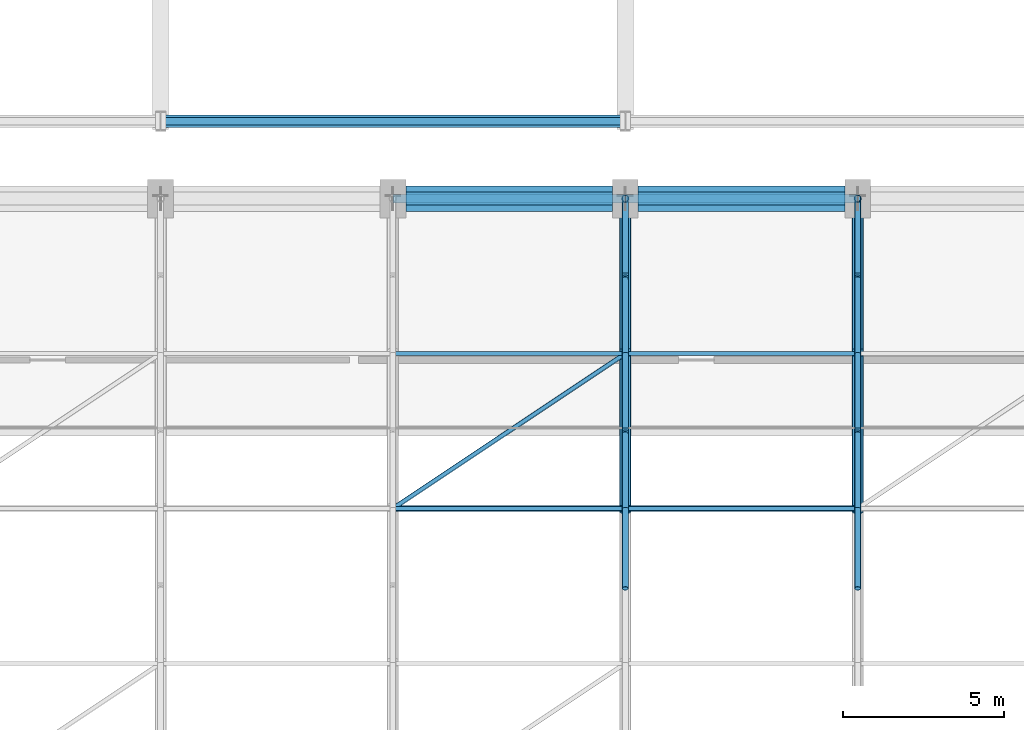
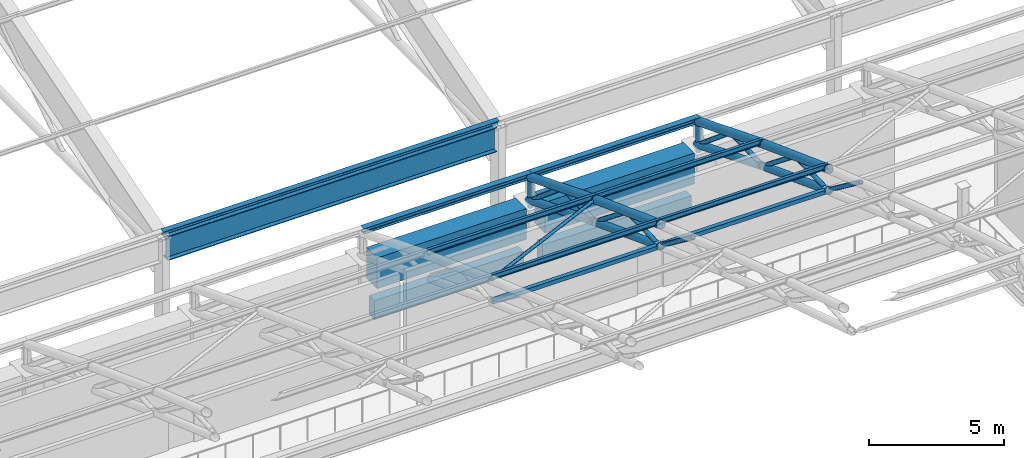
# One storey, part 54 of 116: 30 members, 5 beams.
"""IFC4 building model written with IfcOpenShell, lengths in metres."""

from ifc_helpers import new_model, si_unit, direction, frame, origin, origin_2d, place, context, subcontext, project, spatial, rectangle, hollow_rectangle, hollow_circle, i_section, extrude, material, material_profile, profile_set, type_object, element, save


model = new_model("IFC4")

# Units and contexts
model_context = context("Model", 3, precision=1e-05, world=origin(), true_north=direction((0.0, 1.0)))
body_context = subcontext(model_context, "Body", "Model", "MODEL_VIEW")
ifc_project = project(units=[si_unit("LENGTHUNIT", "METRE"), si_unit("AREAUNIT", "SQUARE_METRE"), si_unit("VOLUMEUNIT", "CUBIC_METRE"), si_unit("PLANEANGLEUNIT", "RADIAN"), si_unit("MASSUNIT", "GRAM", prefix="KILO")], contexts=[model_context])

# Site, building, storey
site_placement = place(None, origin())
site = spatial("IfcSite", under=ifc_project, at=site_placement, CompositionType="ELEMENT")
building_placement = place(site_placement, origin())
building = spatial("IfcBuilding", under=site, at=building_placement, Name="Cendralis Lancet Convention Centre", CompositionType="ELEMENT")
storey_placement = place(building_placement, frame((0.0, 0.0, 15.0)))
storey = spatial("IfcBuildingStorey", under=building, at=storey_placement, Name="L03", CompositionType="ELEMENT", Elevation=15.0)

# Beams
ifc_material_1 = material(Name="Concrete G40 (C40/50)", Category="concrete")
ifc_material_profile_1 = material_profile(ifc_material_1, rectangle(XDim=0.800048828125, YDim=1.39990234375, at=origin_2d()), Name="RCB 800x1400")
ifc_profile_set_1 = profile_set([ifc_material_profile_1], Name="Concrete G40 (C40/50)")
beam_type_1 = type_object("IfcBeamType", Name="STR-BM-BG17", PredefinedType="BEAM", material=ifc_profile_set_1)
for number, where, z_axis, x_axis, name in (
    (1, (175.60009765625, 91.199951171875, 1.10009765625), (1.0, 0.0, 0.0), (0.0, 1.0, 0.0), "L03 Beam BG17 #1573"),
    (2, (182.800048828125, 91.199951171875, 1.10009765625), (1.0, 0.0, 0.0), (0.0, 1.0, 0.0), "L03 Beam BG17 #1574"),
):
    element("IfcBeam", number, at=place(storey_placement, frame(where, z_axis=z_axis, x_axis=x_axis)), inside=storey, type_object=beam_type_1, Name=name, PredefinedType="BEAM", context=body_context, shape_type="SweptSolid", body=[
        extrude(rectangle(XDim=0.800048828125, YDim=1.39990234375, at=origin_2d()), origin(), (0.0, 0.0, 1.0), 6.39990234375),
    ])
ifc_material_2 = material(Name="Steel S355", Category="steel")
ifc_material_profile_2 = material_profile(ifc_material_2, i_section(OverallWidth=0.3798828125, OverallDepth=1.10009765625, WebThickness=0.01611328125, FlangeThickness=0.030029296875, at=origin_2d()), Name="PG 1100x380")
ifc_profile_set_2 = profile_set([ifc_material_profile_2], Name="Steel S355")
beam_type_2 = type_object("IfcBeamType", Name="STR-BM-SG04", PredefinedType="BEAM", material=ifc_profile_set_2)
beam_placement = place(storey_placement, frame((168.14990234375, 93.60009765625, 3.25), z_axis=(1.0, 0.0, 0.0), x_axis=(0.0, 1.0, 0.0)))
element("IfcBeam", 3, at=beam_placement, inside=storey, type_object=beam_type_2, Name="L03 Beam SG04 #1785", PredefinedType="BEAM", context=body_context, shape_type="SweptSolid", body=[
    extrude(i_section(OverallWidth=0.3798828125, OverallDepth=1.10009765625, WebThickness=0.01611328125, FlangeThickness=0.030029296875, at=origin_2d()), origin(), (0.0, 0.0, 1.0), 14.10009765625),
])

# Members
ifc_material_profile_3 = material_profile(ifc_material_2, hollow_circle(Radius=0.06982421875, WallThickness=0.00634765625, at=origin_2d()), Name="CHS 139.7x6.3")
ifc_profile_set_3 = profile_set([ifc_material_profile_3], Name="Steel S355")
member_type_1 = type_object("IfcMemberType", Name="STR-BR-RB02", PredefinedType="BRACE", material=ifc_profile_set_3)
member_1_placement = place(storey_placement, frame((175.199951171875, 81.60009765625, 6.538818359375), z_axis=(0.814912264104, 0.54325642102, -0.201966489381), x_axis=(-0.554687174313, 0.832058975466, 0.0)))
element("IfcMember", 4, at=member_1_placement, inside=storey, type_object=member_type_1, Name="Roof Diaphragm Brace RB02 V2-05-08A", PredefinedType="BRACE", context=body_context, shape_type="SweptSolid", body=[
    extrude(hollow_circle(Radius=0.06982421875, WallThickness=0.00634765625, at=origin_2d()), origin(), (0.0, 0.0, 1.0), 8.835205078125),
])
ifc_material_profile_4 = material_profile(ifc_material_2, hollow_rectangle(XDim=0.179931640625, YDim=0.179931640625, WallThickness=0.010009765625, at=origin_2d()), Name="SHS 180x180x10.0")
ifc_profile_set_4 = profile_set([ifc_material_profile_4], Name="Steel S355")
member_type_2 = type_object("IfcMemberType", Name="STR-BR-ST02", PredefinedType="STRUT", material=ifc_profile_set_4)
member_2_placement = place(storey_placement, frame((175.199951171875, 81.60009765625, 5.555908203125), z_axis=(1.0, 0.0, 0.0), x_axis=(0.0, 1.0, 0.0)))
element("IfcMember", 5, at=member_2_placement, inside=storey, type_object=member_type_2, Name="Arch Tie Strut ST02 V2-05-08", PredefinedType="STRUT", context=body_context, shape_type="SweptSolid", body=[
    extrude(hollow_rectangle(XDim=0.179931640625, YDim=0.179931640625, WallThickness=0.010009765625, at=origin_2d()), origin(), (0.0, 0.0, 1.0), 7.199951171875),
])
member_3_placement = place(storey_placement, frame((182.39990234375, 81.60009765625, 5.555908203125), z_axis=(1.0, 0.0, 0.0), x_axis=(0.0, 1.0, 0.0)))
element("IfcMember", 6, at=member_3_placement, inside=storey, type_object=member_type_2, Name="Arch Tie Strut ST02 V2-06-08", PredefinedType="STRUT", context=body_context, shape_type="SweptSolid", body=[
    extrude(hollow_rectangle(XDim=0.179931640625, YDim=0.179931640625, WallThickness=0.010009765625, at=origin_2d()), origin(), (0.0, 0.0, 1.0), 7.2001953125),
])
ifc_material_profile_5 = material_profile(ifc_material_2, i_section(OverallWidth=0.1201171875, OverallDepth=0.239990234375, WebThickness=0.006103515625, FlangeThickness=0.009765625, FilletRadius=0.014892578125, at=origin_2d()), Name="IPE 240")
ifc_profile_set_5 = profile_set([ifc_material_profile_5], Name="Steel S355")
member_type_3 = type_object("IfcMemberType", Name="STR-PR-PR02", PredefinedType="PURLIN", material=ifc_profile_set_5)
for number, where, z_axis, x_axis, name in (
    (7, (175.199951171875, 81.60009765625, 6.668701171875), (1.0, 0.0, 0.0), (0.0, 1.0, 0.0), "Vault Roof Purlin PR02 V2-05-08"),
    (8, (175.199951171875, 86.39990234375, 4.884521484375), (1.0, 0.0, 0.0), (0.0, 1.0, 0.0), "Vault Roof Purlin PR02 V2-05-09"),
):
    element("IfcMember", number, at=place(storey_placement, frame(where, z_axis=z_axis, x_axis=x_axis)), inside=storey, type_object=member_type_3, Name=name, PredefinedType="PURLIN", context=body_context, shape_type="SweptSolid", body=[
        extrude(i_section(OverallWidth=0.1201171875, OverallDepth=0.239990234375, WebThickness=0.006103515625, FlangeThickness=0.009765625, FilletRadius=0.014892578125, at=origin_2d()), origin(), (0.0, 0.0, 1.0), 7.199951171875),
    ])
for number, where, z_axis, x_axis, name in (
    (9, (182.39990234375, 81.60009765625, 6.668701171875), (1.0, 0.0, 0.0), (0.0, 1.0, 0.0), "Vault Roof Purlin PR02 V2-06-08"),
    (10, (182.39990234375, 86.39990234375, 4.884521484375), (1.0, 0.0, 0.0), (0.0, 1.0, 0.0), "Vault Roof Purlin PR02 V2-06-09"),
):
    element("IfcMember", number, at=place(storey_placement, frame(where, z_axis=z_axis, x_axis=x_axis)), inside=storey, type_object=member_type_3, Name=name, PredefinedType="PURLIN", context=body_context, shape_type="SweptSolid", body=[
        extrude(i_section(OverallWidth=0.1201171875, OverallDepth=0.239990234375, WebThickness=0.006103515625, FlangeThickness=0.009765625, FilletRadius=0.014892578125, at=origin_2d()), origin(), (0.0, 0.0, 1.0), 7.2001953125),
    ])
ifc_material_profile_6 = material_profile(ifc_material_2, i_section(OverallWidth=0.260009765625, OverallDepth=0.25, WebThickness=0.007568359375, FlangeThickness=0.012451171875, FilletRadius=0.02392578125, at=origin_2d()), Name="HEA 260")
ifc_profile_set_6 = profile_set([ifc_material_profile_6], Name="Steel S355")
member_type_4 = type_object("IfcMemberType", Name="STR-PR-PR07", PredefinedType="PURLIN", material=ifc_profile_set_6)
member_4_placement = place(storey_placement, frame((175.199951171875, 91.199951171875, 2.97509765625), z_axis=(1.0, 0.0, 0.0), x_axis=(0.0, 1.0, 0.0)))
element("IfcMember", 11, at=member_4_placement, inside=storey, type_object=member_type_4, Name="Vault Roof Purlin PR07 V2-05-10", PredefinedType="PURLIN", context=body_context, shape_type="SweptSolid", body=[
    extrude(i_section(OverallWidth=0.260009765625, OverallDepth=0.25, WebThickness=0.007568359375, FlangeThickness=0.012451171875, FilletRadius=0.02392578125, at=origin_2d()), origin(), (0.0, 0.0, 1.0), 7.199951171875),
])
member_5_placement = place(storey_placement, frame((182.39990234375, 91.199951171875, 2.97509765625), z_axis=(1.0, 0.0, 0.0), x_axis=(0.0, 1.0, 0.0)))
element("IfcMember", 12, at=member_5_placement, inside=storey, type_object=member_type_4, Name="Vault Roof Purlin PR07 V2-06-10", PredefinedType="PURLIN", context=body_context, shape_type="SweptSolid", body=[
    extrude(i_section(OverallWidth=0.260009765625, OverallDepth=0.25, WebThickness=0.007568359375, FlangeThickness=0.012451171875, FilletRadius=0.02392578125, at=origin_2d()), origin(), (0.0, 0.0, 1.0), 7.2001953125),
])
ifc_material_profile_7 = material_profile(ifc_material_2, i_section(OverallWidth=0.239990234375, OverallDepth=0.22998046875, WebThickness=0.007568359375, FlangeThickness=0.011962890625, FilletRadius=0.02099609375, at=origin_2d()), Name="HEA 240")
ifc_profile_set_7 = profile_set([ifc_material_profile_7], Name="Steel S355")
member_type_5 = type_object("IfcMemberType", Name="STR-PR-PR08", PredefinedType="PURLIN", material=ifc_profile_set_7)
member_6_placement = place(storey_placement, frame((168.0, 93.60009765625, 3.89501953125), z_axis=(1.0, 0.0, 0.0), x_axis=(0.0, 1.0, 0.0)))
element("IfcMember", 13, at=member_6_placement, inside=storey, type_object=member_type_5, Name="Ballroom Roof Purlin PR08 168-93.6", PredefinedType="PURLIN", context=body_context, shape_type="SweptSolid", body=[
    extrude(i_section(OverallWidth=0.239990234375, OverallDepth=0.22998046875, WebThickness=0.007568359375, FlangeThickness=0.011962890625, FilletRadius=0.02099609375, at=origin_2d()), origin(), (0.0, 0.0, 1.0), 14.39990234375),
])

# Beams
ifc_material_profile_8 = material_profile(ifc_material_1, rectangle(XDim=0.39990234375, YDim=0.85009765625, at=origin_2d()), Name="RCB 400x850")
ifc_profile_set_8 = profile_set([ifc_material_profile_8], Name="Concrete G40 (C40/50)")
beam_type_3 = type_object("IfcBeamType", Name="STR-SP-SP02", PredefinedType="SPANDREL", material=ifc_profile_set_8)
for number, where, z_axis, x_axis, name in (
    (14, (175.60009765625, 91.199951171875, -0.68505859375), (1.0, 0.0, 0.0), (0.0, 1.0, 0.0), "L03 Beam SP02 #1518"),
    (15, (182.800048828125, 91.199951171875, -0.68505859375), (1.0, 0.0, 0.0), (0.0, 1.0, 0.0), "L03 Beam SP02 #1519"),
):
    element("IfcBeam", number, at=place(storey_placement, frame(where, z_axis=z_axis, x_axis=x_axis)), inside=storey, type_object=beam_type_3, Name=name, PredefinedType="SPANDREL", context=body_context, shape_type="SweptSolid", body=[
        extrude(rectangle(XDim=0.39990234375, YDim=0.85009765625, at=origin_2d()), origin(), (0.0, 0.0, 1.0), 6.39990234375),
    ])

# Members
ifc_material_profile_9 = material_profile(ifc_material_2, hollow_circle(Radius=0.161865234375, WallThickness=0.01416015625, at=origin_2d()), Name="CHS 323.9x14.2")
ifc_profile_set_9 = profile_set([ifc_material_profile_9], Name="Steel S355")
member_type_6 = type_object("IfcMemberType", Name="STR-TR-BC02-INT", PredefinedType="CHORD", material=ifc_profile_set_9)
member_7_placement = place(storey_placement, frame((182.39990234375, 81.48779296875, 5.598388671875), z_axis=(0.0, 0.935181338514, -0.354169259105), x_axis=(-1.0, 0.0, 0.0)))
element("IfcMember", 16, at=member_7_placement, inside=storey, type_object=member_type_6, Name="ROOF TRUSS AT-V2-07 Bottom Chord 08", PredefinedType="CHORD", context=body_context, shape_type="SweptSolid", body=[
    extrude(hollow_circle(Radius=0.161865234375, WallThickness=0.01416015625, at=origin_2d()), origin(), (0.0, 0.0, 1.0), 5.37255859375),
])
member_8_placement = place(storey_placement, frame((182.39990234375, 86.288818359375, 3.782958984375), z_axis=(0.0, 0.927271931531, -0.374388521451), x_axis=(-1.0, 0.0, 0.0)))
element("IfcMember", 17, at=member_8_placement, inside=storey, type_object=member_type_6, Name="ROOF TRUSS AT-V2-07 Bottom Chord 09", PredefinedType="CHORD", context=body_context, shape_type="SweptSolid", body=[
    extrude(hollow_circle(Radius=0.161865234375, WallThickness=0.01416015625, at=origin_2d()), origin(), (0.0, 0.0, 1.0), 5.41650390625),
])
member_9_placement = place(storey_placement, frame((189.60009765625, 81.48779296875, 5.598388671875), z_axis=(0.0, 0.935181338514, -0.354169259105), x_axis=(-1.0, 0.0, 0.0)))
element("IfcMember", 18, at=member_9_placement, inside=storey, type_object=member_type_6, Name="ROOF TRUSS AT-V2-08 Bottom Chord 08", PredefinedType="CHORD", context=body_context, shape_type="SweptSolid", body=[
    extrude(hollow_circle(Radius=0.161865234375, WallThickness=0.01416015625, at=origin_2d()), origin(), (0.0, 0.0, 1.0), 5.37255859375),
])
member_10_placement = place(storey_placement, frame((189.60009765625, 86.288818359375, 3.782958984375), z_axis=(0.0, 0.927271931531, -0.374388521451), x_axis=(-1.0, 0.0, 0.0)))
element("IfcMember", 19, at=member_10_placement, inside=storey, type_object=member_type_6, Name="ROOF TRUSS AT-V2-08 Bottom Chord 09", PredefinedType="CHORD", context=body_context, shape_type="SweptSolid", body=[
    extrude(hollow_circle(Radius=0.161865234375, WallThickness=0.01416015625, at=origin_2d()), origin(), (0.0, 0.0, 1.0), 5.41650390625),
])
ifc_material_profile_10 = material_profile(ifc_material_2, hollow_circle(Radius=0.177734375, WallThickness=0.01611328125, at=origin_2d()), Name="CHS 355.6x16.0")
ifc_profile_set_10 = profile_set([ifc_material_profile_10], Name="Steel S355")
member_type_7 = type_object("IfcMemberType", Name="STR-TR-TC02-INT", PredefinedType="CHORD", material=ifc_profile_set_10)
member_11_placement = place(storey_placement, frame((182.39990234375, 81.487548828125, 6.58056640625), z_axis=(0.0, 0.937332228344, -0.34843692931), x_axis=(-1.0, 0.0, 0.0)))
element("IfcMember", 20, at=member_11_placement, inside=storey, type_object=member_type_7, Name="ROOF TRUSS AT-V2-07 Top Chord 08", PredefinedType="CHORD", context=body_context, shape_type="SweptSolid", body=[
    extrude(hollow_circle(Radius=0.177734375, WallThickness=0.01611328125, at=origin_2d()), origin(), (0.0, 0.0, 1.0), 5.36083984375),
])
member_12_placement = place(storey_placement, frame((182.39990234375, 86.28857421875, 4.798828125), z_axis=(0.0, 0.929495136476, -0.368834368338), x_axis=(-1.0, 0.0, 0.0)))
element("IfcMember", 21, at=member_12_placement, inside=storey, type_object=member_type_7, Name="ROOF TRUSS AT-V2-07 Top Chord 09", PredefinedType="CHORD", context=body_context, shape_type="SweptSolid", body=[
    extrude(hollow_circle(Radius=0.177734375, WallThickness=0.01611328125, at=origin_2d()), origin(), (0.0, 0.0, 1.0), 5.404052734375),
])
member_13_placement = place(storey_placement, frame((189.60009765625, 81.487548828125, 6.58056640625), z_axis=(0.0, 0.937332228344, -0.34843692931), x_axis=(-1.0, 0.0, 0.0)))
element("IfcMember", 22, at=member_13_placement, inside=storey, type_object=member_type_7, Name="ROOF TRUSS AT-V2-08 Top Chord 08", PredefinedType="CHORD", context=body_context, shape_type="SweptSolid", body=[
    extrude(hollow_circle(Radius=0.177734375, WallThickness=0.01611328125, at=origin_2d()), origin(), (0.0, 0.0, 1.0), 5.36083984375),
])
member_14_placement = place(storey_placement, frame((189.60009765625, 86.28857421875, 4.798828125), z_axis=(0.0, 0.929495136476, -0.368834368338), x_axis=(-1.0, 0.0, 0.0)))
element("IfcMember", 23, at=member_14_placement, inside=storey, type_object=member_type_7, Name="ROOF TRUSS AT-V2-08 Top Chord 09", PredefinedType="CHORD", context=body_context, shape_type="SweptSolid", body=[
    extrude(hollow_circle(Radius=0.177734375, WallThickness=0.01611328125, at=origin_2d()), origin(), (0.0, 0.0, 1.0), 5.404052734375),
])
ifc_material_profile_11 = material_profile(ifc_material_2, hollow_circle(Radius=0.096923828125, WallThickness=0.008056640625, at=origin_2d()), Name="CHS 193.7x8.0")
ifc_profile_set_11 = profile_set([ifc_material_profile_11], Name="Steel S355")
member_type_8 = type_object("IfcMemberType", Name="STR-TR-WD02-INT", PredefinedType="BRACE", material=ifc_profile_set_11)
member_15_placement = place(storey_placement, frame((182.39990234375, 79.1201171875, 7.43115234375), z_axis=(0.0, 0.797620051478, -0.603160222064), x_axis=(-1.0, 0.0, 0.0)))
element("IfcMember", 24, at=member_15_placement, inside=storey, type_object=member_type_8, Name="ROOF TRUSS AT-V2-07 Warren Web 07-1", PredefinedType="BRACE", context=body_context, shape_type="SweptSolid", body=[
    extrude(hollow_circle(Radius=0.096923828125, WallThickness=0.008056640625, at=origin_2d()), origin(), (0.0, 0.0, 1.0), 3.208984375),
])
member_16_placement = place(storey_placement, frame((182.39990234375, 81.5, 5.55224609375), z_axis=(0.0, 0.999288228514, 0.037723154086), x_axis=(-1.0, 0.0, 0.0)))
element("IfcMember", 25, at=member_16_placement, inside=storey, type_object=member_type_8, Name="ROOF TRUSS AT-V2-07 Warren Web 08-0", PredefinedType="BRACE", context=body_context, shape_type="SweptSolid", body=[
    extrude(hollow_circle(Radius=0.096923828125, WallThickness=0.008056640625, at=origin_2d()), origin(), (0.0, 0.0, 1.0), 2.601806640625),
])
member_17_placement = place(storey_placement, frame((182.39990234375, 83.921630859375, 5.708984375), z_axis=(0.0, 0.782673873306, -0.62243201078), x_axis=(-1.0, 0.0, 0.0)))
element("IfcMember", 26, at=member_17_placement, inside=storey, type_object=member_type_8, Name="ROOF TRUSS AT-V2-07 Warren Web 08-1", PredefinedType="BRACE", context=body_context, shape_type="SweptSolid", body=[
    extrude(hollow_circle(Radius=0.096923828125, WallThickness=0.008056640625, at=origin_2d()), origin(), (0.0, 0.0, 1.0), 3.2666015625),
])
member_18_placement = place(storey_placement, frame((182.39990234375, 86.300048828125, 3.7353515625), z_axis=(0.0, 0.999642061144, 0.0267534968), x_axis=(-1.0, 0.0, 0.0)))
element("IfcMember", 27, at=member_18_placement, inside=storey, type_object=member_type_8, Name="ROOF TRUSS AT-V2-07 Warren Web 09-0", PredefinedType="BRACE", context=body_context, shape_type="SweptSolid", body=[
    extrude(hollow_circle(Radius=0.096923828125, WallThickness=0.008056640625, at=origin_2d()), origin(), (0.0, 0.0, 1.0), 2.600830078125),
])
member_19_placement = place(storey_placement, frame((182.39990234375, 88.72314453125, 3.866455078125), z_axis=(0.0, 0.767848091912, -0.640631959667), x_axis=(-1.0, 0.0, 0.0)))
element("IfcMember", 28, at=member_19_placement, inside=storey, type_object=member_type_8, Name="ROOF TRUSS AT-V2-07 Warren Web 09-1", PredefinedType="BRACE", context=body_context, shape_type="SweptSolid", body=[
    extrude(hollow_circle(Radius=0.096923828125, WallThickness=0.008056640625, at=origin_2d()), origin(), (0.0, 0.0, 1.0), 3.32568359375),
])
member_20_placement = place(storey_placement, frame((189.60009765625, 79.1201171875, 7.43115234375), z_axis=(0.0, 0.797620051478, -0.603160222064), x_axis=(-1.0, 0.0, 0.0)))
element("IfcMember", 29, at=member_20_placement, inside=storey, type_object=member_type_8, Name="ROOF TRUSS AT-V2-08 Warren Web 07-1", PredefinedType="BRACE", context=body_context, shape_type="SweptSolid", body=[
    extrude(hollow_circle(Radius=0.096923828125, WallThickness=0.008056640625, at=origin_2d()), origin(), (0.0, 0.0, 1.0), 3.208984375),
])
member_21_placement = place(storey_placement, frame((189.60009765625, 81.5, 5.55224609375), z_axis=(0.0, 0.999288228514, 0.037723154086), x_axis=(-1.0, 0.0, 0.0)))
element("IfcMember", 30, at=member_21_placement, inside=storey, type_object=member_type_8, Name="ROOF TRUSS AT-V2-08 Warren Web 08-0", PredefinedType="BRACE", context=body_context, shape_type="SweptSolid", body=[
    extrude(hollow_circle(Radius=0.096923828125, WallThickness=0.008056640625, at=origin_2d()), origin(), (0.0, 0.0, 1.0), 2.601806640625),
])
member_22_placement = place(storey_placement, frame((189.60009765625, 83.921630859375, 5.708984375), z_axis=(0.0, 0.782673873306, -0.62243201078), x_axis=(-1.0, 0.0, 0.0)))
element("IfcMember", 31, at=member_22_placement, inside=storey, type_object=member_type_8, Name="ROOF TRUSS AT-V2-08 Warren Web 08-1", PredefinedType="BRACE", context=body_context, shape_type="SweptSolid", body=[
    extrude(hollow_circle(Radius=0.096923828125, WallThickness=0.008056640625, at=origin_2d()), origin(), (0.0, 0.0, 1.0), 3.2666015625),
])
member_23_placement = place(storey_placement, frame((189.60009765625, 86.300048828125, 3.7353515625), z_axis=(0.0, 0.999642061144, 0.0267534968), x_axis=(-1.0, 0.0, 0.0)))
element("IfcMember", 32, at=member_23_placement, inside=storey, type_object=member_type_8, Name="ROOF TRUSS AT-V2-08 Warren Web 09-0", PredefinedType="BRACE", context=body_context, shape_type="SweptSolid", body=[
    extrude(hollow_circle(Radius=0.096923828125, WallThickness=0.008056640625, at=origin_2d()), origin(), (0.0, 0.0, 1.0), 2.600830078125),
])
member_24_placement = place(storey_placement, frame((189.60009765625, 88.72314453125, 3.866455078125), z_axis=(0.0, 0.767848091912, -0.640631959667), x_axis=(-1.0, 0.0, 0.0)))
element("IfcMember", 33, at=member_24_placement, inside=storey, type_object=member_type_8, Name="ROOF TRUSS AT-V2-08 Warren Web 09-1", PredefinedType="BRACE", context=body_context, shape_type="SweptSolid", body=[
    extrude(hollow_circle(Radius=0.096923828125, WallThickness=0.008056640625, at=origin_2d()), origin(), (0.0, 0.0, 1.0), 3.32568359375),
])
ifc_material_profile_12 = material_profile(ifc_material_2, hollow_circle(Radius=0.109619140625, WallThickness=0.010009765625, at=origin_2d()), Name="CHS 219.1x10.0")
ifc_profile_set_12 = profile_set([ifc_material_profile_12], Name="Steel S355")
member_type_9 = type_object("IfcMemberType", Name="STR-TR-WV02-INT", PredefinedType="POST", material=ifc_profile_set_12)
for number, where, z_axis, x_axis, name in (
    (34, (182.39990234375, 91.199951171875, 1.5), (0.0, 0.0, 1.0), (1.0, 0.0, 0.0), "ROOF TRUSS AT-V2-07 Springing Post N10"),
    (35, (189.60009765625, 91.199951171875, 1.5), (0.0, 0.0, 1.0), (1.0, 0.0, 0.0), "ROOF TRUSS AT-V2-08 Springing Post N10"),
):
    element("IfcMember", number, at=place(storey_placement, frame(where, z_axis=z_axis, x_axis=x_axis)), inside=storey, type_object=member_type_9, Name=name, PredefinedType="POST", context=body_context, shape_type="SweptSolid", body=[
        extrude(hollow_circle(Radius=0.109619140625, WallThickness=0.010009765625, at=origin_2d()), origin(), (0.0, 0.0, 1.0), 1.570068359375),
    ])

save(model, "model.ifc")
